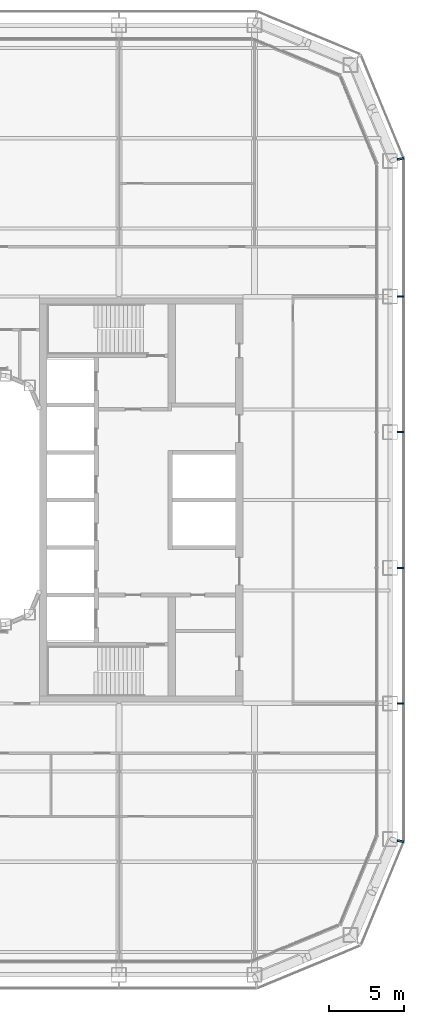
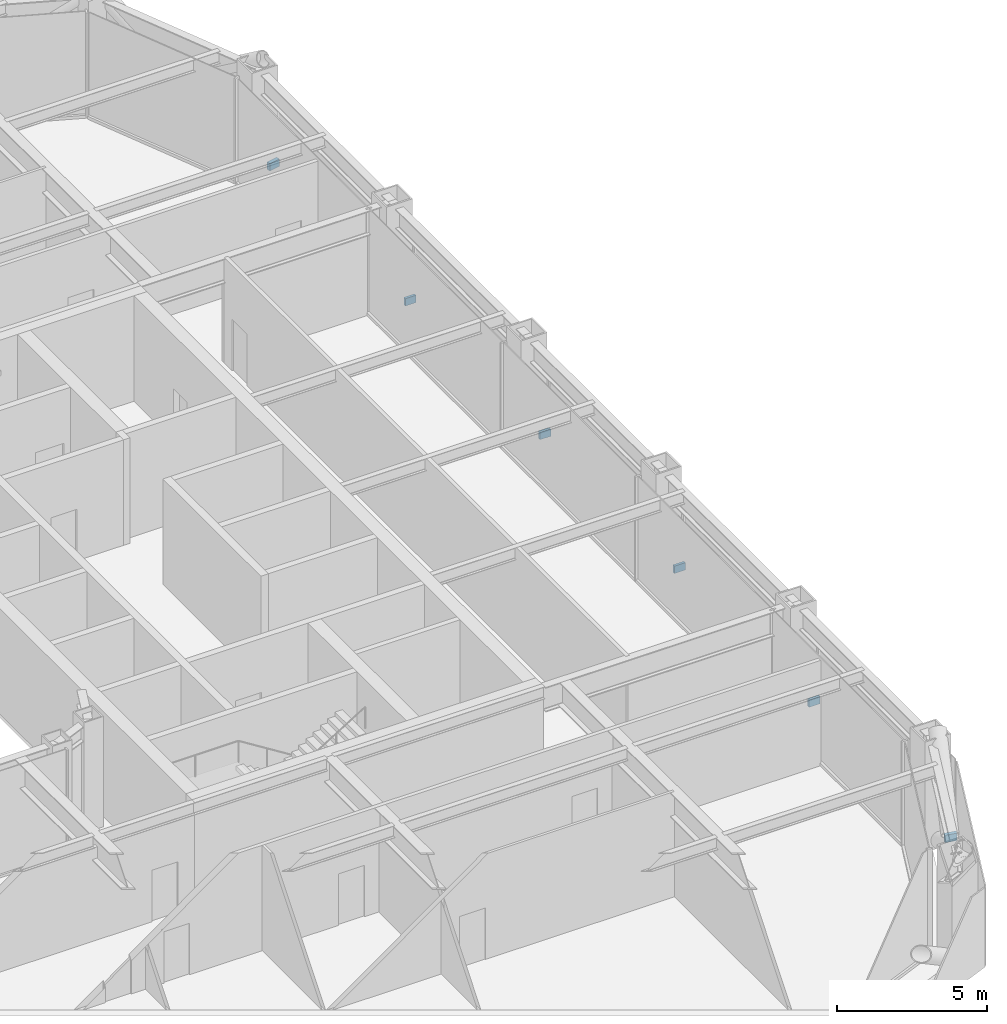
# One storey, part 21 of 27: 6 discrete accessories.
"""IFC4 building model written with IfcOpenShell, lengths in metres."""

from ifc_helpers import new_model, si_unit, direction, frame, origin, origin_2d, place, context, subcontext, project, spatial, rectangle, extrude, material, type_object, element, save


model = new_model("IFC4")

# Units and contexts
model_context = context("Model", 3, precision=1e-05, world=origin(), true_north=direction((0.0, 1.0)))
body_context = subcontext(model_context, "Body", "Model", "MODEL_VIEW")
ifc_project = project(units=[si_unit("LENGTHUNIT", "METRE"), si_unit("AREAUNIT", "SQUARE_METRE"), si_unit("VOLUMEUNIT", "CUBIC_METRE"), si_unit("PLANEANGLEUNIT", "RADIAN"), si_unit("MASSUNIT", "GRAM", prefix="KILO")], contexts=[model_context])

# Site, building, storey
site_placement = place(None, origin())
site = spatial("IfcSite", under=ifc_project, at=site_placement, CompositionType="ELEMENT")
building_placement = place(site_placement, origin())
building = spatial("IfcBuilding", under=site, at=building_placement, Name="Siwar Civic Tower", CompositionType="ELEMENT")
storey_placement = place(building_placement, frame((0.0, 0.0, 89.699951171875)))
storey = spatial("IfcBuildingStorey", under=building, at=storey_placement, Name="L19", CompositionType="ELEMENT", Elevation=89.699951171875)

# Discrete accessories
ifc_material = material(Name="Stainless steel 316", Category="steel")
discrete_accessory_type = type_object("IfcDiscreteAccessoryType", Name="ENV-BRACKET", PredefinedType="BRACKET", material=ifc_material)
for number, where, z_axis, x_axis, name in (
    (1, (32.18994140625, -13.5, -0.14990234375), (0.0, 0.0, 1.0), (1.0, 0.0, 0.0), "Bracket outer skin joint E-01"),
    (2, (32.18994140625, -4.5, -0.14990234375), (0.0, 0.0, 1.0), (1.0, 0.0, 0.0), "Bracket outer skin joint E-02"),
    (3, (32.18994140625, 4.5, -0.14990234375), (0.0, 0.0, 1.0), (1.0, 0.0, 0.0), "Bracket outer skin joint E-03"),
    (4, (32.18994140625, 13.5, -0.14990234375), (0.0, 0.0, 1.0), (1.0, 0.0, 0.0), "Bracket outer skin joint E-04"),
):
    element("IfcDiscreteAccessory", number, at=place(storey_placement, frame(where, z_axis=z_axis, x_axis=x_axis)), inside=storey, type_object=discrete_accessory_type, Name=name, PredefinedType="BRACKET", context=body_context, shape_type="SweptSolid", body=[
        extrude(rectangle(XDim=0.419921875, YDim=0.10009765625, at=origin_2d()), origin(), (0.0, 0.0, 1.0), 0.300048828125),
    ])
for number, where, z_axis, x_axis, name in (
    (5, (32.190185546875, -22.63720703125, -0.14990234375), (0.0, 0.0, 1.0), (0.980785280403, -0.195090322016, 0.0), "Bracket outer skin joint V03"),
    (6, (32.190185546875, 22.63720703125, -0.14990234375), (0.0, 0.0, 1.0), (0.980785280403, 0.195090322016, 0.0), "Bracket outer skin joint V04"),
):
    element("IfcDiscreteAccessory", number, at=place(storey_placement, frame(where, z_axis=z_axis, x_axis=x_axis)), inside=storey, type_object=discrete_accessory_type, Name=name, PredefinedType="BRACKET", context=body_context, shape_type="SweptSolid", body=[
        extrude(rectangle(XDim=0.427734375, YDim=0.13720703125, at=origin_2d()), origin(), (0.0, 0.0, 1.0), 0.300048828125),
    ])

save(model, "model.ifc")
